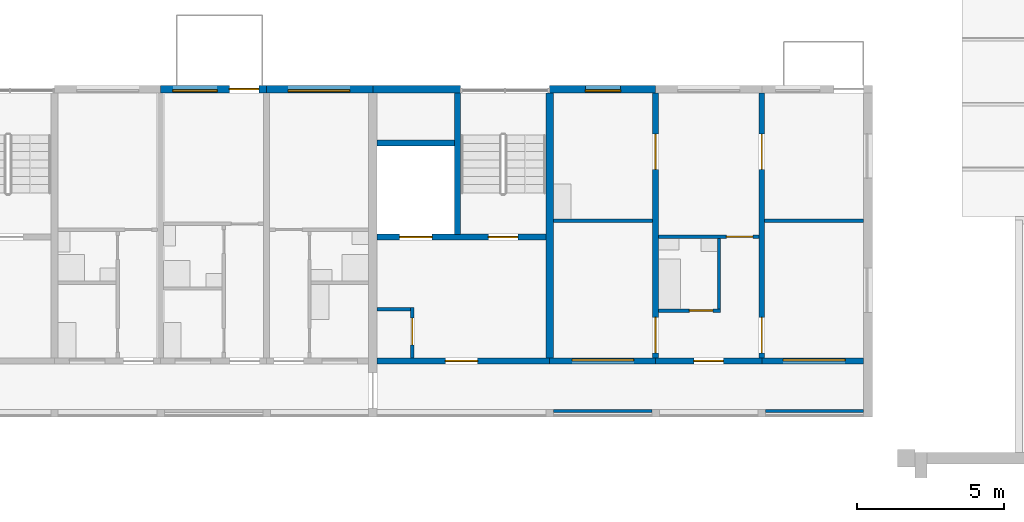
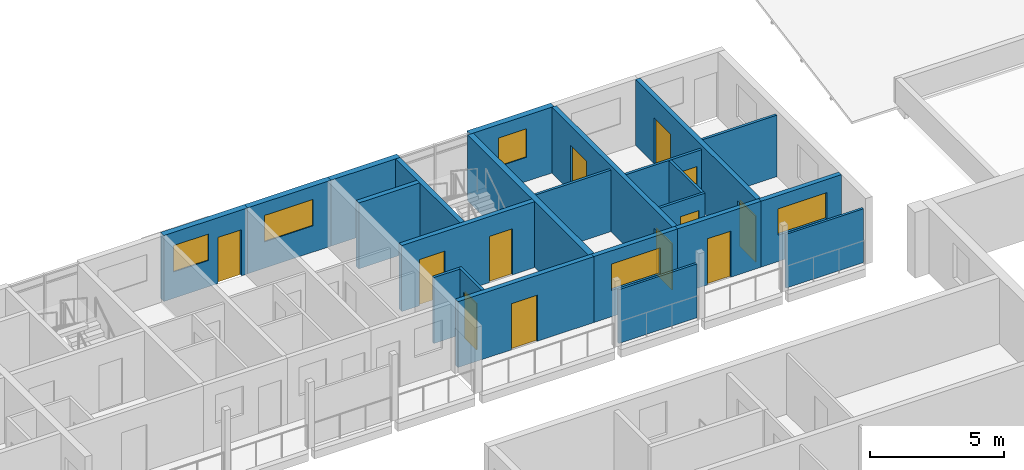
# One storey, part 66 of 122: 23 walls, 12 doors, 5 windows, 17 openings.
"""IFC4 building model written with IfcOpenShell, lengths in metres."""

from ifc_helpers import new_model, si_unit, direction, frame, frame_2d, origin, place, context, subcontext, project, spatial, rectangle, extrude, material, layer, layer_set, type_object, element, fill, save


model = new_model("IFC4")

# Units and contexts
model_context = context("Model", 3, precision=1e-05, world=origin(), true_north=direction((0.0, 1.0)))
body_context = subcontext(model_context, "Body", "Model", "MODEL_VIEW")
ifc_project = project(units=[si_unit("LENGTHUNIT", "METRE"), si_unit("AREAUNIT", "SQUARE_METRE"), si_unit("VOLUMEUNIT", "CUBIC_METRE"), si_unit("PLANEANGLEUNIT", "RADIAN"), si_unit("MASSUNIT", "GRAM", prefix="KILO")], contexts=[model_context])

# Site, building, storey
site_placement = place(None, origin())
site = spatial("IfcSite", under=ifc_project, at=site_placement, CompositionType="ELEMENT")
building_placement = place(site_placement, origin())
building = spatial("IfcBuilding", under=site, at=building_placement, Name="Ridgestep Commons", CompositionType="ELEMENT")
storey_placement = place(building_placement, frame((0.0, 0.0, 3.0)))
storey = spatial("IfcBuildingStorey", under=building, at=storey_placement, Name="L01", CompositionType="ELEMENT", Elevation=3.0)

# Wall
ifc_material_1 = material(Name="Concrete C30/37", Category="concrete")
ifc_layer_1 = layer(ifc_material_1, 0.25)
ifc_layer_set_1 = layer_set([ifc_layer_1], Name="Core cross wall 250")
wall_type_1 = type_object("IfcWallType", Name="Core cross wall 250", PredefinedType="SHEAR", material=ifc_layer_set_1)
wall_1_placement = place(storey_placement, frame((102.0, 68.0, 0.0), z_axis=(0.0, 0.0, 1.0), x_axis=(0.0, 1.0, 0.0)))
element("IfcWall", 1, at=wall_1_placement, inside=storey, type_object=wall_type_1, Name="Cross wall B-01-1020", PredefinedType="SHEAR", context=body_context, shape_type="SweptSolid", body=[
    extrude(rectangle(XDim=9.0, YDim=0.25, at=frame_2d((4.5, 0.0))), origin(), (0.0, 0.0, 1.0), 3.0),
])

# Wall, opening, door
ifc_material_2 = material(Name="Concrete C30/37", Category="concrete")
ifc_layer_2 = layer(ifc_material_2, 0.199951171875)
ifc_layer_set_2 = layer_set([ifc_layer_2], Name="Core south wall 200")
wall_type_2 = type_object("IfcWallType", Name="Core south wall 200", PredefinedType="SHEAR", material=ifc_layer_set_2)
wall_2_placement = place(storey_placement, frame((96.14990234375, 67.89990234375, 0.0), z_axis=(0.0, 0.0, 1.0), x_axis=(1.0, 0.0, 0.0)))
wall_2 = element("IfcWall", 2, at=wall_2_placement, inside=storey, type_object=wall_type_2, Name="Core south wall B6C L01", PredefinedType="SHEAR", context=body_context, shape_type="SweptSolid", body=[
    extrude(rectangle(XDim=5.85009765625, YDim=0.199951171875, at=frame_2d((2.925048828125, 0.0))), origin(), (0.0, 0.0, 1.0), 3.0),
])
opening_1_placement = place(wall_2_placement, frame((2.3125, 0.0, 0.0)))
opening_1 = element("IfcOpeningElement", 3, at=opening_1_placement, cuts=wall_2, Name="Opening B6C/01/1", PredefinedType="OPENING", context=body_context, shape_type="SweptSolid", body=[
    extrude(rectangle(XDim=1.10009765625, YDim=2.10009765625, at=frame_2d((0.550048828125, 1.050048828125))), frame((0.0, 0.10986328125, 0.0), z_axis=(0.0, -1.0, 0.0), x_axis=(1.0, 0.0, 0.0)), (0.0, 0.0, 1.0), 0.219970703125),
])
ifc_material_3 = material(Name="Steel fire door", Category="steel")
door_type_1 = type_object("IfcDoorType", Name="Lobby door 1100 x 2100 FD60", OperationType="NOTDEFINED", PredefinedType="DOOR", material=ifc_material_3)
door_1_placement = place(opening_1_placement, origin())
door_1 = element("IfcDoor", 4, at=door_1_placement, inside=storey, type_object=door_type_1, Name="Lobby door B6C/01/1", OperationType="SINGLE_SWING_LEFT", OverallHeight=2.10009765625, OverallWidth=1.10009765625, PredefinedType="DOOR", context=body_context, shape_type="SweptSolid", body=[
    extrude(rectangle(XDim=1.10009765625, YDim=2.10009765625, at=frame_2d((0.550048828125, 1.050048828125))), frame((0.0, 0.02490234375, 0.0), z_axis=(0.0, -1.0, 0.0), x_axis=(1.0, 0.0, 0.0)), (0.0, 0.0, 1.0), 0.050048828125),
])
fill(opening_1, door_1)

ifc_material_4 = material(Name="Concrete C30/37", Category="concrete")
ifc_layer_3 = layer(ifc_material_4, 0.1201171875)
ifc_layer_set_3 = layer_set([ifc_layer_3], Name="Core wall 120")
wall_type_3 = type_object("IfcWallType", Name="Core wall 120", PredefinedType="SHEAR", material=ifc_layer_set_3)
wall_3_placement = place(storey_placement, frame((97.340087890625, 68.0, 0.0), z_axis=(0.0, 0.0, 1.0), x_axis=(0.0, 1.0, 0.0)))
wall_3 = element("IfcWall", 5, at=wall_3_placement, inside=storey, type_object=wall_type_3, Name="Core riser w wall B6C L01", PredefinedType="SHEAR", context=body_context, shape_type="SweptSolid", body=[
    extrude(rectangle(XDim=1.719970703125, YDim=0.1201171875, at=frame_2d((0.85986328125, 0.0))), origin(), (0.0, 0.0, 1.0), 3.0),
])
opening_2_placement = place(wall_3_placement, frame((0.449951171875, 0.0, 0.0)))
opening_2 = element("IfcOpeningElement", 6, at=opening_2_placement, cuts=wall_3, Name="Opening B6C/01/4", PredefinedType="OPENING", context=body_context, shape_type="SweptSolid", body=[
    extrude(rectangle(XDim=0.89990234375, YDim=2.10009765625, at=frame_2d((0.449951171875, 1.050048828125))), frame((0.0, 0.070068359375, 0.0), z_axis=(0.0, -1.0, 0.0), x_axis=(1.0, 0.0, 0.0)), (0.0, 0.0, 1.0), 0.14013671875),
])
ifc_material_5 = material(Name="Steel fire door", Category="steel")
door_type_2 = type_object("IfcDoorType", Name="Riser door 900 x 2100 FD60", OperationType="NOTDEFINED", PredefinedType="DOOR", material=ifc_material_5)
door_2_placement = place(opening_2_placement, origin())
door_2 = element("IfcDoor", 7, at=door_2_placement, inside=storey, type_object=door_type_2, Name="Riser door B6C/01/4", OperationType="SINGLE_SWING_RIGHT", OverallHeight=2.10009765625, OverallWidth=0.89990234375, PredefinedType="DOOR", context=body_context, shape_type="SweptSolid", body=[
    extrude(rectangle(XDim=0.89990234375, YDim=2.10009765625, at=frame_2d((0.449951171875, 1.050048828125))), frame((0.0, 0.02490234375, 0.0), z_axis=(0.0, -1.0, 0.0), x_axis=(1.0, 0.0, 0.0)), (0.0, 0.0, 1.0), 0.050048828125),
])
fill(opening_2, door_2)

# Wall
wall_4_placement = place(storey_placement, frame((96.14990234375, 69.659912109375, 0.0), z_axis=(0.0, 0.0, 1.0), x_axis=(1.0, 0.0, 0.0)))
element("IfcWall", 8, at=wall_4_placement, inside=storey, type_object=wall_type_3, Name="Core riser n wall B6C L01", PredefinedType="SHEAR", context=body_context, shape_type="SweptSolid", body=[
    extrude(rectangle(XDim=1.130126953125, YDim=0.1201171875, at=frame_2d((0.56494140625, 0.0))), origin(), (0.0, 0.0, 1.0), 3.0),
])

# Wall, openings, doors
ifc_material_6 = material(Name="Concrete C30/37", Category="concrete")
ifc_layer_4 = layer(ifc_material_6, 0.199951171875)
ifc_layer_set_4 = layer_set([ifc_layer_4], Name="Core wall 200")
wall_type_4 = type_object("IfcWallType", Name="Core wall 200", PredefinedType="SHEAR", material=ifc_layer_set_4)
wall_5_placement = place(storey_placement, frame((96.14990234375, 72.10009765625, 0.0), z_axis=(0.0, 0.0, 1.0), x_axis=(1.0, 0.0, 0.0)))
wall_5 = element("IfcWall", 9, at=wall_5_placement, inside=storey, type_object=wall_type_4, Name="Core lobby wall B6C L01", PredefinedType="SHEAR", context=body_context, shape_type="SweptSolid", body=[
    extrude(rectangle(XDim=5.72509765625, YDim=0.199951171875, at=frame_2d((2.862548828125, 0.0))), origin(), (0.0, 0.0, 1.0), 3.0),
])
opening_3_placement = place(wall_5_placement, frame((3.77490234375, 0.0, 0.0)))
opening_3 = element("IfcOpeningElement", 10, at=opening_3_placement, cuts=wall_5, Name="Opening B6C/01/2", PredefinedType="OPENING", context=body_context, shape_type="SweptSolid", body=[
    extrude(rectangle(XDim=1.0, YDim=2.10009765625, at=frame_2d((0.5, 1.050048828125))), frame((0.0, 0.10986328125, 0.0), z_axis=(0.0, -1.0, 0.0), x_axis=(1.0, 0.0, 0.0)), (0.0, 0.0, 1.0), 0.219970703125),
])
opening_4_placement = place(wall_5_placement, frame((0.762451171875, 0.0, 0.0)))
opening_4 = element("IfcOpeningElement", 11, at=opening_4_placement, cuts=wall_5, Name="Opening B6C/01/3", PredefinedType="OPENING", context=body_context, shape_type="SweptSolid", body=[
    extrude(rectangle(XDim=1.10009765625, YDim=2.10009765625, at=frame_2d((0.550048828125, 1.050048828125))), frame((0.0, 0.10986328125, 0.0), z_axis=(0.0, -1.0, 0.0), x_axis=(1.0, 0.0, 0.0)), (0.0, 0.0, 1.0), 0.219970703125),
])
ifc_material_7 = material(Name="Stainless steel", Category="steel")
door_type_3 = type_object("IfcDoorType", Name="Lift landing door 1100 x 2100 FD60", OperationType="DOUBLE_DOOR_SLIDING", PredefinedType="DOOR", material=ifc_material_7)
door_3_placement = place(opening_4_placement, origin())
door_3 = element("IfcDoor", 12, at=door_3_placement, inside=storey, type_object=door_type_3, Name="Landing door LD B6C L01", OperationType="DOUBLE_DOOR_SLIDING", OverallHeight=2.10009765625, OverallWidth=1.10009765625, PredefinedType="DOOR", context=body_context, shape_type="SweptSolid", body=[
    extrude(rectangle(XDim=1.10009765625, YDim=2.10009765625, at=frame_2d((0.550048828125, 1.050048828125))), frame((0.0, 0.02490234375, 0.0), z_axis=(0.0, -1.0, 0.0), x_axis=(1.0, 0.0, 0.0)), (0.0, 0.0, 1.0), 0.050048828125),
])
fill(opening_4, door_3)
ifc_material_8 = material(Name="Steel fire door", Category="steel")
door_type_4 = type_object("IfcDoorType", Name="Stair door 1000 x 2100 FD60", OperationType="NOTDEFINED", PredefinedType="DOOR", material=ifc_material_8)
door_4_placement = place(opening_3_placement, origin())
door_4 = element("IfcDoor", 13, at=door_4_placement, inside=storey, type_object=door_type_4, Name="Stair door B6C/01/2", OperationType="SINGLE_SWING_RIGHT", OverallHeight=2.10009765625, OverallWidth=1.0, PredefinedType="DOOR", context=body_context, shape_type="SweptSolid", body=[
    extrude(rectangle(XDim=1.0, YDim=2.10009765625, at=frame_2d((0.5, 1.050048828125))), frame((0.0, 0.02490234375, 0.0), z_axis=(0.0, -1.0, 0.0), x_axis=(1.0, 0.0, 0.0)), (0.0, 0.0, 1.0), 0.050048828125),
])
fill(opening_3, door_4)

# Walls
wall_6_placement = place(storey_placement, frame((98.875, 72.199951171875, 0.0), z_axis=(0.0, 0.0, 1.0), x_axis=(0.0, 1.0, 0.0)))
element("IfcWall", 14, at=wall_6_placement, inside=storey, type_object=wall_type_4, Name="Core stair wall B6C L01", PredefinedType="SHEAR", context=body_context, shape_type="SweptSolid", body=[
    extrude(rectangle(XDim=4.800048828125, YDim=0.199951171875, at=frame_2d((2.39990234375, 0.0))), origin(), (0.0, 0.0, 1.0), 3.0),
])
wall_7_placement = place(storey_placement, frame((96.14990234375, 75.300048828125, 0.0), z_axis=(0.0, 0.0, 1.0), x_axis=(1.0, 0.0, 0.0)))
element("IfcWall", 15, at=wall_7_placement, inside=storey, type_object=wall_type_4, Name="Core duct wall B6C L01", PredefinedType="SHEAR", context=body_context, shape_type="SweptSolid", body=[
    extrude(rectangle(XDim=2.625, YDim=0.199951171875, at=frame_2d((1.3125, 0.0))), origin(), (0.0, 0.0, 1.0), 3.0),
])

# Wall, openings, doors
ifc_material_9 = material(Name="Precast concrete C40/50", Category="concrete")
ifc_layer_5 = layer(ifc_material_9, 0.199951171875)
ifc_layer_set_5 = layer_set([ifc_layer_5], Name="Cross wall 200")
wall_type_5 = type_object("IfcWallType", Name="Cross wall 200", PredefinedType="SHEAR", material=ifc_layer_set_5)
wall_8_placement = place(storey_placement, frame((105.60009765625, 68.0, 0.0), z_axis=(0.0, 0.0, 1.0), x_axis=(0.0, 1.0, 0.0)))
wall_8 = element("IfcWall", 16, at=wall_8_placement, inside=storey, type_object=wall_type_5, Name="Cross wall B-01-1056", PredefinedType="SHEAR", context=body_context, shape_type="SweptSolid", body=[
    extrude(rectangle(XDim=9.0, YDim=0.199951171875, at=frame_2d((4.5, 0.0))), origin(), (0.0, 0.0, 1.0), 3.0),
])
opening_5_placement = place(wall_8_placement, frame((0.175048828125, 0.0, 0.0)))
opening_5 = element("IfcOpeningElement", 17, at=opening_5_placement, cuts=wall_8, Name="Opening B6-01a/4", PredefinedType="OPENING", context=body_context, shape_type="SweptSolid", body=[
    extrude(rectangle(XDim=1.199951171875, YDim=2.10009765625, at=frame_2d((0.60009765625, 1.050048828125))), frame((0.0, 0.10986328125, 0.0), z_axis=(0.0, -1.0, 0.0), x_axis=(1.0, 0.0, 0.0)), (0.0, 0.0, 1.0), 0.219970703125),
])
opening_6_placement = place(wall_8_placement, frame((6.39990234375, 0.0, 0.0)))
opening_6 = element("IfcOpeningElement", 18, at=opening_6_placement, cuts=wall_8, Name="Opening B6-01a/5", PredefinedType="OPENING", context=body_context, shape_type="SweptSolid", body=[
    extrude(rectangle(XDim=1.199951171875, YDim=2.10009765625, at=frame_2d((0.60009765625, 1.050048828125))), frame((0.0, 0.10986328125, 0.0), z_axis=(0.0, -1.0, 0.0), x_axis=(1.0, 0.0, 0.0)), (0.0, 0.0, 1.0), 0.219970703125),
])
ifc_material_10 = material(Name="Timber door leaf", Category="wood")
door_type_5 = type_object("IfcDoorType", Name="Double door 1200 x 2100", OperationType="DOUBLE_DOOR_SINGLE_SWING", PredefinedType="DOOR", material=ifc_material_10)
door_5_placement = place(opening_5_placement, origin())
door_5 = element("IfcDoor", 19, at=door_5_placement, inside=storey, type_object=door_type_5, Name="Double door B6-01a/4", OperationType="DOUBLE_DOOR_SINGLE_SWING", OverallHeight=2.10009765625, OverallWidth=1.199951171875, PredefinedType="DOOR", context=body_context, shape_type="SweptSolid", body=[
    extrude(rectangle(XDim=1.199951171875, YDim=2.10009765625, at=frame_2d((0.60009765625, 1.050048828125))), frame((0.0, 0.02490234375, 0.0), z_axis=(0.0, -1.0, 0.0), x_axis=(1.0, 0.0, 0.0)), (0.0, 0.0, 1.0), 0.050048828125),
])
fill(opening_5, door_5)
door_6_placement = place(opening_6_placement, origin())
door_6 = element("IfcDoor", 20, at=door_6_placement, inside=storey, type_object=door_type_5, Name="Double door B6-01a/5", OperationType="DOUBLE_DOOR_SINGLE_SWING", OverallHeight=2.10009765625, OverallWidth=1.199951171875, PredefinedType="DOOR", context=body_context, shape_type="SweptSolid", body=[
    extrude(rectangle(XDim=1.199951171875, YDim=2.10009765625, at=frame_2d((0.60009765625, 1.050048828125))), frame((0.0, 0.02490234375, 0.0), z_axis=(0.0, -1.0, 0.0), x_axis=(1.0, 0.0, 0.0)), (0.0, 0.0, 1.0), 0.050048828125),
])
fill(opening_6, door_6)

wall_9_placement = place(storey_placement, frame((109.199951171875, 68.0, 0.0), z_axis=(0.0, 0.0, 1.0), x_axis=(0.0, 1.0, 0.0)))
wall_9 = element("IfcWall", 21, at=wall_9_placement, inside=storey, type_object=wall_type_5, Name="Cross wall B-01-1092", PredefinedType="SHEAR", context=body_context, shape_type="SweptSolid", body=[
    extrude(rectangle(XDim=9.0, YDim=0.199951171875, at=frame_2d((4.5, 0.0))), origin(), (0.0, 0.0, 1.0), 3.0),
])
opening_7_placement = place(wall_9_placement, frame((0.175048828125, 0.0, 0.0)))
opening_7 = element("IfcOpeningElement", 22, at=opening_7_placement, cuts=wall_9, Name="Opening B6-01a/6", PredefinedType="OPENING", context=body_context, shape_type="SweptSolid", body=[
    extrude(rectangle(XDim=1.199951171875, YDim=2.10009765625, at=frame_2d((0.60009765625, 1.050048828125))), frame((0.0, 0.10986328125, 0.0), z_axis=(0.0, -1.0, 0.0), x_axis=(1.0, 0.0, 0.0)), (0.0, 0.0, 1.0), 0.219970703125),
])
opening_8_placement = place(wall_9_placement, frame((6.39990234375, 0.0, 0.0)))
opening_8 = element("IfcOpeningElement", 23, at=opening_8_placement, cuts=wall_9, Name="Opening B6-01a/7", PredefinedType="OPENING", context=body_context, shape_type="SweptSolid", body=[
    extrude(rectangle(XDim=1.199951171875, YDim=2.10009765625, at=frame_2d((0.60009765625, 1.050048828125))), frame((0.0, 0.10986328125, 0.0), z_axis=(0.0, -1.0, 0.0), x_axis=(1.0, 0.0, 0.0)), (0.0, 0.0, 1.0), 0.219970703125),
])
door_7_placement = place(opening_7_placement, origin())
door_7 = element("IfcDoor", 24, at=door_7_placement, inside=storey, type_object=door_type_5, Name="Double door B6-01a/6", OperationType="DOUBLE_DOOR_SINGLE_SWING", OverallHeight=2.10009765625, OverallWidth=1.199951171875, PredefinedType="DOOR", context=body_context, shape_type="SweptSolid", body=[
    extrude(rectangle(XDim=1.199951171875, YDim=2.10009765625, at=frame_2d((0.60009765625, 1.050048828125))), frame((0.0, 0.02490234375, 0.0), z_axis=(0.0, -1.0, 0.0), x_axis=(1.0, 0.0, 0.0)), (0.0, 0.0, 1.0), 0.050048828125),
])
fill(opening_7, door_7)
door_8_placement = place(opening_8_placement, origin())
door_8 = element("IfcDoor", 25, at=door_8_placement, inside=storey, type_object=door_type_5, Name="Double door B6-01a/7", OperationType="DOUBLE_DOOR_SINGLE_SWING", OverallHeight=2.10009765625, OverallWidth=1.199951171875, PredefinedType="DOOR", context=body_context, shape_type="SweptSolid", body=[
    extrude(rectangle(XDim=1.199951171875, YDim=2.10009765625, at=frame_2d((0.60009765625, 1.050048828125))), frame((0.0, 0.02490234375, 0.0), z_axis=(0.0, -1.0, 0.0), x_axis=(1.0, 0.0, 0.0)), (0.0, 0.0, 1.0), 0.050048828125),
])
fill(opening_8, door_8)

# Wall, openings, door, window
ifc_material_11 = material(Name="Precast concrete C40/50", Category="concrete")
ifc_layer_6 = layer(ifc_material_11, 0.25)
ifc_layer_set_6 = layer_set([ifc_layer_6], Name="North facade panel 250")
wall_type_6 = type_object("IfcWallType", Name="North facade panel 250", PredefinedType="SOLIDWALL", material=ifc_layer_set_6)
wall_10_placement = place(storey_placement, frame((88.800048828125, 77.125, 0.0), z_axis=(0.0, 0.0, 1.0), x_axis=(1.0, 0.0, 0.0)))
wall_10 = element("IfcWall", 26, at=wall_10_placement, inside=storey, type_object=wall_type_6, Name="North panel B5T2 L01", PredefinedType="SOLIDWALL", context=body_context, shape_type="SweptSolid", body=[
    extrude(rectangle(XDim=3.599853515625, YDim=0.25, at=frame_2d((1.7998046875, 0.0))), origin(), (0.0, 0.0, 1.0), 3.0),
])
opening_9_placement = place(wall_10_placement, frame((0.41845703125, 0.0, 1.199951171875)))
opening_9 = element("IfcOpeningElement", 27, at=opening_9_placement, cuts=wall_10, Name="Opening W13", PredefinedType="OPENING", context=body_context, shape_type="SweptSolid", body=[
    extrude(rectangle(XDim=1.5, YDim=1.199951171875, at=frame_2d((0.75, 0.60009765625))), frame((0.0, 0.135009765625, 0.0), z_axis=(0.0, -1.0, 0.0), x_axis=(1.0, 0.0, 0.0)), (0.0, 0.0, 1.0), 0.27001953125),
])
opening_10_placement = place(wall_10_placement, frame((2.3369140625, 0.0, 0.0)))
opening_10 = element("IfcOpeningElement", 28, at=opening_10_placement, cuts=wall_10, Name="Opening B5-01b/5", PredefinedType="OPENING", context=body_context, shape_type="SweptSolid", body=[
    extrude(rectangle(XDim=1.0, YDim=2.10009765625, at=frame_2d((0.5, 1.050048828125))), frame((0.0, 0.135009765625, 0.0), z_axis=(0.0, -1.0, 0.0), x_axis=(1.0, 0.0, 0.0)), (0.0, 0.0, 1.0), 0.27001953125),
])
ifc_material_12 = material(Name="Aluminium and glass", Category="aluminium")
door_type_6 = type_object("IfcDoorType", Name="Balcony door 1000 x 2100", OperationType="NOTDEFINED", PredefinedType="DOOR", material=ifc_material_12)
door_9_placement = place(opening_10_placement, origin())
door_9 = element("IfcDoor", 29, at=door_9_placement, inside=storey, type_object=door_type_6, Name="Balcony door B5-01b/5", OperationType="SINGLE_SWING_LEFT", OverallHeight=2.10009765625, OverallWidth=1.0, PredefinedType="DOOR", context=body_context, shape_type="SweptSolid", body=[
    extrude(rectangle(XDim=1.0, YDim=2.10009765625, at=frame_2d((0.5, 1.050048828125))), frame((0.0, 0.02490234375, 0.0), z_axis=(0.0, -1.0, 0.0), x_axis=(1.0, 0.0, 0.0)), (0.0, 0.0, 1.0), 0.050048828125),
])
fill(opening_10, door_9)
ifc_material_13 = material(Name="Aluminium 6063-T6 and glass", Category="aluminium")
window_type_1 = type_object("IfcWindowType", Name="Flat window 1500 x 1200", PartitioningType="DOUBLE_PANEL_VERTICAL", PredefinedType="WINDOW", material=ifc_material_13)
window_1_placement = place(opening_9_placement, origin())
window_1 = element("IfcWindow", 30, at=window_1_placement, inside=storey, type_object=window_type_1, Name="Window B5-01b 2", OverallHeight=1.199951171875, OverallWidth=1.5, PartitioningType="SINGLE_PANEL", PredefinedType="WINDOW", context=body_context, shape_type="SweptSolid", body=[
    extrude(rectangle(XDim=1.5, YDim=1.199951171875, at=frame_2d((0.75, 0.60009765625))), frame((0.0, -0.02490234375, 0.0), z_axis=(0.0, -1.0, 0.0), x_axis=(1.0, 0.0, 0.0)), (0.0, 0.0, 1.0), 0.06005859375),
])
fill(opening_9, window_1)

# Wall, opening, window
wall_11_placement = place(storey_placement, frame((92.39990234375, 77.125, 0.0), z_axis=(0.0, 0.0, 1.0), x_axis=(1.0, 0.0, 0.0)))
wall_11 = element("IfcWall", 31, at=wall_11_placement, inside=storey, type_object=wall_type_6, Name="North panel B5T1 L01", PredefinedType="SOLIDWALL", context=body_context, shape_type="SweptSolid", body=[
    extrude(rectangle(XDim=3.60009765625, YDim=0.25, at=frame_2d((1.800048828125, 0.0))), origin(), (0.0, 0.0, 1.0), 3.0),
])
opening_11_placement = place(wall_11_placement, frame((0.72509765625, 0.0, 1.199951171875)))
opening_11 = element("IfcOpeningElement", 32, at=opening_11_placement, cuts=wall_11, Name="Opening W22", PredefinedType="OPENING", context=body_context, shape_type="SweptSolid", body=[
    extrude(rectangle(XDim=2.10009765625, YDim=1.199951171875, at=frame_2d((1.050048828125, 0.60009765625))), frame((0.0, 0.135009765625, 0.0), z_axis=(0.0, -1.0, 0.0), x_axis=(1.0, 0.0, 0.0)), (0.0, 0.0, 1.0), 0.27001953125),
])
ifc_material_14 = material(Name="Aluminium 6063-T6 and glass", Category="aluminium")
window_type_2 = type_object("IfcWindowType", Name="Flat window 2100 x 1200", PartitioningType="DOUBLE_PANEL_VERTICAL", PredefinedType="WINDOW", material=ifc_material_14)
window_2_placement = place(opening_11_placement, origin())
window_2 = element("IfcWindow", 33, at=window_2_placement, inside=storey, type_object=window_type_2, Name="Window B5-01a 2", OverallHeight=1.199951171875, OverallWidth=2.10009765625, PartitioningType="SINGLE_PANEL", PredefinedType="WINDOW", context=body_context, shape_type="SweptSolid", body=[
    extrude(rectangle(XDim=2.10009765625, YDim=1.199951171875, at=frame_2d((1.050048828125, 0.60009765625))), frame((0.0, -0.02490234375, 0.0), z_axis=(0.0, -1.0, 0.0), x_axis=(1.0, 0.0, 0.0)), (0.0, 0.0, 1.0), 0.06005859375),
])
fill(opening_11, window_2)

# Wall
wall_12_placement = place(storey_placement, frame((96.0, 77.125, 0.0), z_axis=(0.0, 0.0, 1.0), x_axis=(1.0, 0.0, 0.0)))
element("IfcWall", 34, at=wall_12_placement, inside=storey, type_object=wall_type_6, Name="North panel B6C L01", PredefinedType="SOLIDWALL", context=body_context, shape_type="SweptSolid", body=[
    extrude(rectangle(XDim=2.97509765625, YDim=0.25, at=frame_2d((1.487548828125, 0.0))), origin(), (0.0, 0.0, 1.0), 3.0),
])

# Wall, opening, window
wall_13_placement = place(storey_placement, frame((102.0, 77.125, 0.0), z_axis=(0.0, 0.0, 1.0), x_axis=(1.0, 0.0, 0.0)))
wall_13 = element("IfcWall", 35, at=wall_13_placement, inside=storey, type_object=wall_type_6, Name="North panel B6T3 L01", PredefinedType="SOLIDWALL", context=body_context, shape_type="SweptSolid", body=[
    extrude(rectangle(XDim=3.60009765625, YDim=0.25, at=frame_2d((1.800048828125, 0.0))), origin(), (0.0, 0.0, 1.0), 3.0),
])
opening_12_placement = place(wall_13_placement, frame((1.21240234375, 0.0, 1.10009765625)))
opening_12 = element("IfcOpeningElement", 36, at=opening_12_placement, cuts=wall_13, Name="Opening W08", PredefinedType="OPENING", context=body_context, shape_type="SweptSolid", body=[
    extrude(rectangle(XDim=1.199951171875, YDim=1.300048828125, at=frame_2d((0.60009765625, 0.64990234375))), frame((0.0, 0.135009765625, 0.0), z_axis=(0.0, -1.0, 0.0), x_axis=(1.0, 0.0, 0.0)), (0.0, 0.0, 1.0), 0.27001953125),
])
ifc_material_15 = material(Name="Aluminium 6063-T6 and glass", Category="aluminium")
window_type_3 = type_object("IfcWindowType", Name="Flat window 1200 x 1300", PartitioningType="SINGLE_PANEL", PredefinedType="WINDOW", material=ifc_material_15)
window_3_placement = place(opening_12_placement, origin())
window_3 = element("IfcWindow", 37, at=window_3_placement, inside=storey, type_object=window_type_3, Name="Window B6-01a 2", OverallHeight=1.300048828125, OverallWidth=1.199951171875, PartitioningType="SINGLE_PANEL", PredefinedType="WINDOW", context=body_context, shape_type="SweptSolid", body=[
    extrude(rectangle(XDim=1.199951171875, YDim=1.300048828125, at=frame_2d((0.60009765625, 0.64990234375))), frame((0.0, -0.02490234375, 0.0), z_axis=(0.0, -1.0, 0.0), x_axis=(1.0, 0.0, 0.0)), (0.0, 0.0, 1.0), 0.06005859375),
])
fill(opening_12, window_3)

# Wall, opening, door
ifc_material_16 = material(Name="Common brick 110 mm", Category="masonry")
ifc_layer_7 = layer(ifc_material_16, 0.110107421875)
ifc_layer_set_7 = layer_set([ifc_layer_7], Name="Partition 110")
wall_type_7 = type_object("IfcWallType", Name="Partition 110", PredefinedType="PARTITIONING", material=ifc_layer_set_7)
wall_14_placement = place(storey_placement, frame((105.699951171875, 69.60498046875, 0.0), z_axis=(0.0, 0.0, 1.0), x_axis=(1.0, 0.0, 0.0)))
wall_14 = element("IfcWall", 38, at=wall_14_placement, inside=storey, type_object=wall_type_7, Name="Partition B6-01a", PredefinedType="PARTITIONING", context=body_context, shape_type="SweptSolid", body=[
    extrude(rectangle(XDim=2.10009765625, YDim=0.110107421875, at=frame_2d((1.050048828125, 0.0))), origin(), (0.0, 0.0, 1.0), 2.800048828125),
])
opening_13_placement = place(wall_14_placement, frame((1.0400390625, 0.0, 0.0)))
opening_13 = element("IfcOpeningElement", 39, at=opening_13_placement, cuts=wall_14, Name="Opening B6-01a/2", PredefinedType="OPENING", context=body_context, shape_type="SweptSolid", body=[
    extrude(rectangle(XDim=0.800048828125, YDim=2.10009765625, at=frame_2d((0.39990234375, 1.050048828125))), frame((0.0, 0.06494140625, 0.0), z_axis=(0.0, -1.0, 0.0), x_axis=(1.0, 0.0, 0.0)), (0.0, 0.0, 1.0), 0.130126953125),
])
ifc_material_17 = material(Name="Timber door leaf", Category="wood")
door_type_7 = type_object("IfcDoorType", Name="Internal door 800 x 2100", OperationType="NOTDEFINED", PredefinedType="DOOR", material=ifc_material_17)
door_10_placement = place(opening_13_placement, origin())
door_10 = element("IfcDoor", 40, at=door_10_placement, inside=storey, type_object=door_type_7, Name="Internal door B6-01a/2", OperationType="SINGLE_SWING_RIGHT", OverallHeight=2.10009765625, OverallWidth=0.800048828125, PredefinedType="DOOR", context=body_context, shape_type="SweptSolid", body=[
    extrude(rectangle(XDim=0.800048828125, YDim=2.10009765625, at=frame_2d((0.39990234375, 1.050048828125))), frame((0.0, 0.02490234375, 0.0), z_axis=(0.0, -1.0, 0.0), x_axis=(1.0, 0.0, 0.0)), (0.0, 0.0, 1.0), 0.050048828125),
])
fill(opening_13, door_10)

# Wall
wall_15_placement = place(storey_placement, frame((107.7451171875, 69.659912109375, 0.0), z_axis=(0.0, 0.0, 1.0), x_axis=(0.0, 1.0, 0.0)))
element("IfcWall", 41, at=wall_15_placement, inside=storey, type_object=wall_type_7, Name="Partition B6-01a", PredefinedType="PARTITIONING", context=body_context, shape_type="SweptSolid", body=[
    extrude(rectangle(XDim=2.400146484375, YDim=0.110107421875, at=frame_2d((1.2001953125, 0.0))), origin(), (0.0, 0.0, 1.0), 2.800048828125),
])

# Wall, opening, door
wall_16_placement = place(storey_placement, frame((105.699951171875, 72.114990234375, 0.0), z_axis=(0.0, 0.0, 1.0), x_axis=(1.0, 0.0, 0.0)))
wall_16 = element("IfcWall", 42, at=wall_16_placement, inside=storey, type_object=wall_type_7, Name="Partition B6-01a", PredefinedType="PARTITIONING", context=body_context, shape_type="SweptSolid", body=[
    extrude(rectangle(XDim=3.400146484375, YDim=0.110107421875, at=frame_2d((1.7001953125, 0.0))), origin(), (0.0, 0.0, 1.0), 2.800048828125),
])
opening_14_placement = place(wall_16_placement, frame((2.300048828125, 0.0, 0.0)))
opening_14 = element("IfcOpeningElement", 43, at=opening_14_placement, cuts=wall_16, Name="Opening B6-01a/3", PredefinedType="OPENING", context=body_context, shape_type="SweptSolid", body=[
    extrude(rectangle(XDim=0.89990234375, YDim=2.10009765625, at=frame_2d((0.449951171875, 1.050048828125))), frame((0.0, 0.06494140625, 0.0), z_axis=(0.0, -1.0, 0.0), x_axis=(1.0, 0.0, 0.0)), (0.0, 0.0, 1.0), 0.130126953125),
])
ifc_material_18 = material(Name="Timber door leaf", Category="wood")
door_type_8 = type_object("IfcDoorType", Name="Internal door 900 x 2100", OperationType="NOTDEFINED", PredefinedType="DOOR", material=ifc_material_18)
door_11_placement = place(opening_14_placement, origin())
door_11 = element("IfcDoor", 44, at=door_11_placement, inside=storey, type_object=door_type_8, Name="Internal door B6-01a/3", OperationType="SINGLE_SWING_RIGHT", OverallHeight=2.10009765625, OverallWidth=0.89990234375, PredefinedType="DOOR", context=body_context, shape_type="SweptSolid", body=[
    extrude(rectangle(XDim=0.89990234375, YDim=2.10009765625, at=frame_2d((0.449951171875, 1.050048828125))), frame((0.0, 0.02490234375, 0.0), z_axis=(0.0, -1.0, 0.0), x_axis=(1.0, 0.0, 0.0)), (0.0, 0.0, 1.0), 0.050048828125),
])
fill(opening_14, door_11)

# Walls
wall_17_placement = place(storey_placement, frame((102.125, 72.655029296875, 0.0), z_axis=(0.0, 0.0, 1.0), x_axis=(1.0, 0.0, 0.0)))
element("IfcWall", 45, at=wall_17_placement, inside=storey, type_object=wall_type_7, Name="Partition B6-01a", PredefinedType="PARTITIONING", context=body_context, shape_type="SweptSolid", body=[
    extrude(rectangle(XDim=3.375, YDim=0.110107421875, at=frame_2d((1.6875, 0.0))), origin(), (0.0, 0.0, 1.0), 2.800048828125),
])
wall_18_placement = place(storey_placement, frame((109.300048828125, 72.655029296875, 0.0), z_axis=(0.0, 0.0, 1.0), x_axis=(1.0, 0.0, 0.0)))
element("IfcWall", 46, at=wall_18_placement, inside=storey, type_object=wall_type_7, Name="Partition B6-01a", PredefinedType="PARTITIONING", context=body_context, shape_type="SweptSolid", body=[
    extrude(rectangle(XDim=3.349853515625, YDim=0.110107421875, at=frame_2d((1.6748046875, 0.0))), origin(), (0.0, 0.0, 1.0), 2.800048828125),
])
ifc_material_19 = material(Name="Precast concrete C30/37", Category="concrete")
ifc_layer_8 = layer(ifc_material_19, 0.10009765625)
ifc_layer_set_8 = layer_set([ifc_layer_8], Name="Perforated gallery screen 3325 x 2450 x 100")
wall_type_8 = type_object("IfcWallType", Name="Perforated gallery screen 3325 x 2450 x 100", PredefinedType="SOLIDWALL", material=ifc_layer_set_8)
wall_19_placement = place(storey_placement, frame((109.324951171875, 66.199951171875, 0.0), z_axis=(0.0, 0.0, 1.0), x_axis=(1.0, 0.0, 0.0)))
element("IfcWall", 47, at=wall_19_placement, inside=storey, type_object=wall_type_8, Name="Gallery screen B6T1 01", PredefinedType="SOLIDWALL", context=body_context, shape_type="SweptSolid", body=[
    extrude(rectangle(XDim=3.324951171875, YDim=0.10009765625, at=frame_2d((1.66259765625, 0.0))), origin(), (0.0, 0.0, 1.0), 2.449951171875),
])
ifc_material_20 = material(Name="Precast concrete C30/37", Category="concrete")
ifc_layer_9 = layer(ifc_material_20, 0.10009765625)
ifc_layer_set_9 = layer_set([ifc_layer_9], Name="Perforated gallery screen 3350 x 2450 x 100")
wall_type_9 = type_object("IfcWallType", Name="Perforated gallery screen 3350 x 2450 x 100", PredefinedType="SOLIDWALL", material=ifc_layer_set_9)
wall_20_placement = place(storey_placement, frame((102.125, 66.199951171875, 0.0), z_axis=(0.0, 0.0, 1.0), x_axis=(1.0, 0.0, 0.0)))
element("IfcWall", 48, at=wall_20_placement, inside=storey, type_object=wall_type_9, Name="Gallery screen B6T3 01", PredefinedType="SOLIDWALL", context=body_context, shape_type="SweptSolid", body=[
    extrude(rectangle(XDim=3.35009765625, YDim=0.10009765625, at=frame_2d((1.675048828125, 0.0))), origin(), (0.0, 0.0, 1.0), 2.449951171875),
])

# Wall, opening, window
ifc_material_21 = material(Name="Precast concrete C40/50", Category="concrete")
ifc_layer_10 = layer(ifc_material_21, 0.199951171875)
ifc_layer_set_10 = layer_set([ifc_layer_10], Name="South facade panel 200")
wall_type_10 = type_object("IfcWallType", Name="South facade panel 200", PredefinedType="SOLIDWALL", material=ifc_layer_set_10)
wall_21_placement = place(storey_placement, frame((102.0, 67.89990234375, 0.0), z_axis=(0.0, 0.0, 1.0), x_axis=(1.0, 0.0, 0.0)))
wall_21 = element("IfcWall", 49, at=wall_21_placement, inside=storey, type_object=wall_type_10, Name="South panel B6T3 L01", PredefinedType="SOLIDWALL", context=body_context, shape_type="SweptSolid", body=[
    extrude(rectangle(XDim=3.60009765625, YDim=0.199951171875, at=frame_2d((1.800048828125, 0.0))), origin(), (0.0, 0.0, 1.0), 3.0),
])
opening_15_placement = place(wall_21_placement, frame((0.762451171875, 0.0, 1.199951171875)))
opening_15 = element("IfcOpeningElement", 50, at=opening_15_placement, cuts=wall_21, Name="Opening W22", PredefinedType="OPENING", context=body_context, shape_type="SweptSolid", body=[
    extrude(rectangle(XDim=2.10009765625, YDim=1.199951171875, at=frame_2d((1.050048828125, 0.60009765625))), frame((0.0, 0.10986328125, 0.0), z_axis=(0.0, -1.0, 0.0), x_axis=(1.0, 0.0, 0.0)), (0.0, 0.0, 1.0), 0.219970703125),
])
window_4_placement = place(opening_15_placement, origin())
window_4 = element("IfcWindow", 51, at=window_4_placement, inside=storey, type_object=window_type_2, Name="Window B6-01a 1", OverallHeight=1.199951171875, OverallWidth=2.10009765625, PartitioningType="SINGLE_PANEL", PredefinedType="WINDOW", context=body_context, shape_type="SweptSolid", body=[
    extrude(rectangle(XDim=2.10009765625, YDim=1.199951171875, at=frame_2d((1.050048828125, 0.60009765625))), frame((0.0, 0.06005859375, 0.0), z_axis=(0.0, -1.0, 0.0), x_axis=(1.0, 0.0, 0.0)), (0.0, 0.0, 1.0), 0.06005859375),
])
fill(opening_15, window_4)

# Wall, opening, door
wall_22_placement = place(storey_placement, frame((105.60009765625, 67.89990234375, 0.0), z_axis=(0.0, 0.0, 1.0), x_axis=(1.0, 0.0, 0.0)))
wall_22 = element("IfcWall", 52, at=wall_22_placement, inside=storey, type_object=wall_type_10, Name="South panel B6T2 L01", PredefinedType="SOLIDWALL", context=body_context, shape_type="SweptSolid", body=[
    extrude(rectangle(XDim=3.599853515625, YDim=0.199951171875, at=frame_2d((1.7998046875, 0.0))), origin(), (0.0, 0.0, 1.0), 3.0),
])
opening_16_placement = place(wall_22_placement, frame((1.300048828125, 0.0, 0.0)))
opening_16 = element("IfcOpeningElement", 53, at=opening_16_placement, cuts=wall_22, Name="Opening B6-01a/1", PredefinedType="OPENING", context=body_context, shape_type="SweptSolid", body=[
    extrude(rectangle(XDim=1.0, YDim=2.10009765625, at=frame_2d((0.5, 1.050048828125))), frame((0.0, 0.10986328125, 0.0), z_axis=(0.0, -1.0, 0.0), x_axis=(1.0, 0.0, 0.0)), (0.0, 0.0, 1.0), 0.219970703125),
])
ifc_material_22 = material(Name="Timber door leaf", Category="wood")
door_type_9 = type_object("IfcDoorType", Name="Flat entrance door 1000 x 2100 FD30S", OperationType="NOTDEFINED", PredefinedType="DOOR", material=ifc_material_22)
door_12_placement = place(opening_16_placement, origin())
door_12 = element("IfcDoor", 54, at=door_12_placement, inside=storey, type_object=door_type_9, Name="Flat entrance door B6-01a/1", OperationType="SINGLE_SWING_RIGHT", OverallHeight=2.10009765625, OverallWidth=1.0, PredefinedType="DOOR", context=body_context, shape_type="SweptSolid", body=[
    extrude(rectangle(XDim=1.0, YDim=2.10009765625, at=frame_2d((0.5, 1.050048828125))), frame((0.0, 0.02490234375, 0.0), z_axis=(0.0, -1.0, 0.0), x_axis=(1.0, 0.0, 0.0)), (0.0, 0.0, 1.0), 0.050048828125),
])
fill(opening_16, door_12)

# Wall, opening, window
wall_23_placement = place(storey_placement, frame((109.199951171875, 67.89990234375, 0.0), z_axis=(0.0, 0.0, 1.0), x_axis=(1.0, 0.0, 0.0)))
wall_23 = element("IfcWall", 55, at=wall_23_placement, inside=storey, type_object=wall_type_10, Name="South panel B6T1 L01", PredefinedType="SOLIDWALL", context=body_context, shape_type="SweptSolid", body=[
    extrude(rectangle(XDim=3.449951171875, YDim=0.199951171875, at=frame_2d((1.72509765625, 0.0))), origin(), (0.0, 0.0, 1.0), 3.0),
])
opening_17_placement = place(wall_23_placement, frame((0.72509765625, 0.0, 1.199951171875)))
opening_17 = element("IfcOpeningElement", 56, at=opening_17_placement, cuts=wall_23, Name="Opening W22", PredefinedType="OPENING", context=body_context, shape_type="SweptSolid", body=[
    extrude(rectangle(XDim=2.10009765625, YDim=1.199951171875, at=frame_2d((1.050048828125, 0.60009765625))), frame((0.0, 0.10986328125, 0.0), z_axis=(0.0, -1.0, 0.0), x_axis=(1.0, 0.0, 0.0)), (0.0, 0.0, 1.0), 0.219970703125),
])
window_5_placement = place(opening_17_placement, origin())
window_5 = element("IfcWindow", 57, at=window_5_placement, inside=storey, type_object=window_type_2, Name="Window B6-01a 3", OverallHeight=1.199951171875, OverallWidth=2.10009765625, PartitioningType="SINGLE_PANEL", PredefinedType="WINDOW", context=body_context, shape_type="SweptSolid", body=[
    extrude(rectangle(XDim=2.10009765625, YDim=1.199951171875, at=frame_2d((1.050048828125, 0.60009765625))), frame((0.0, 0.06005859375, 0.0), z_axis=(0.0, -1.0, 0.0), x_axis=(1.0, 0.0, 0.0)), (0.0, 0.0, 1.0), 0.06005859375),
])
fill(opening_17, window_5)

save(model, "model.ifc")
